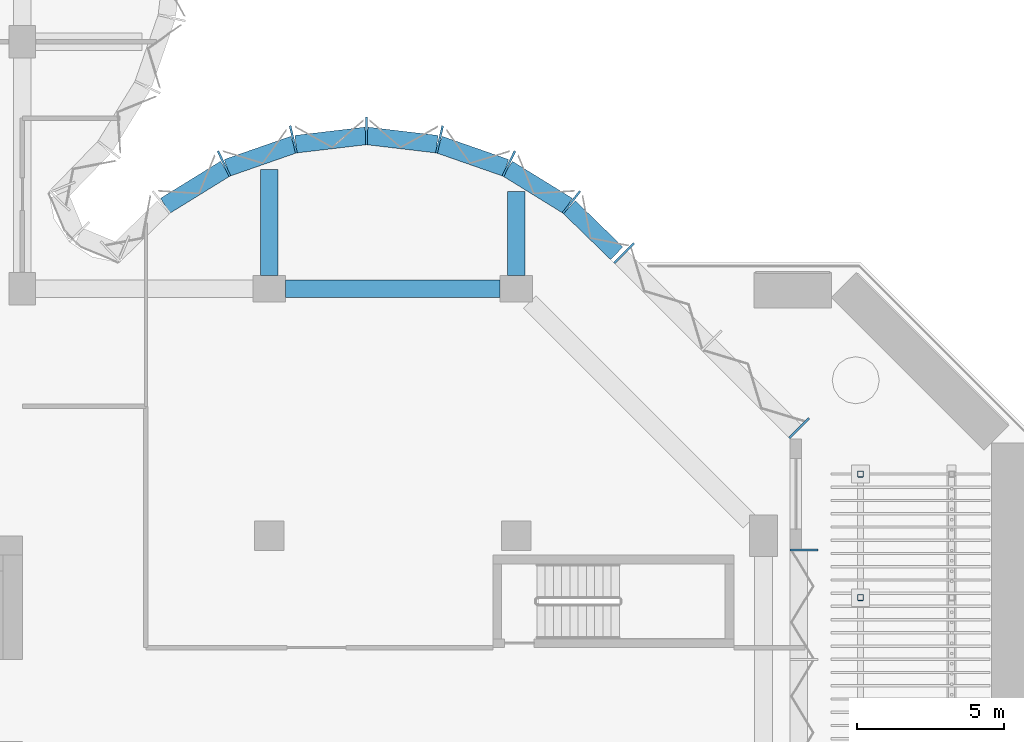
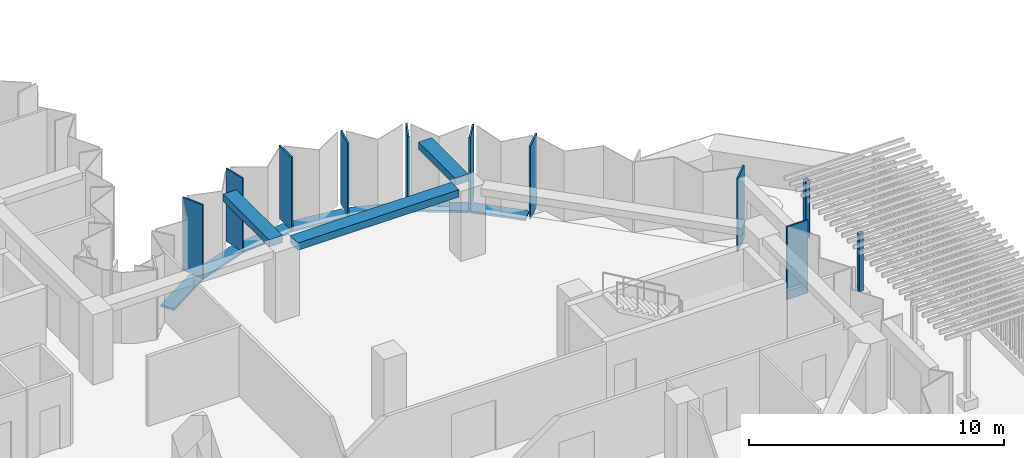
# One storey, part 3 of 14: 18 members, 3 beams, 3 elements without a shape of their own.
"""IFC4 building model written with IfcOpenShell, lengths in metres."""

from ifc_helpers import new_model, si_unit, direction, frame, origin, origin_2d, place, context, subcontext, project, spatial, rectangle, hollow_rectangle, extrude, material, material_profile, profile_set, type_object, element, aggregate, save


model = new_model("IFC4")

# Units and contexts
model_context = context("Model", 3, precision=1e-05, world=origin(), true_north=direction((0.0, 1.0)))
body_context = subcontext(model_context, "Body", "Model", "MODEL_VIEW")
ifc_project = project(units=[si_unit("LENGTHUNIT", "METRE"), si_unit("AREAUNIT", "SQUARE_METRE"), si_unit("VOLUMEUNIT", "CUBIC_METRE"), si_unit("PLANEANGLEUNIT", "RADIAN"), si_unit("MASSUNIT", "GRAM", prefix="KILO")], contexts=[model_context])

# Site, building, storey
site_placement = place(None, origin())
site = spatial("IfcSite", under=ifc_project, at=site_placement, CompositionType="ELEMENT")
building_placement = place(site_placement, origin())
building = spatial("IfcBuilding", under=site, at=building_placement, Name="Brevane Broadcast Tower", CompositionType="ELEMENT")
storey_placement = place(building_placement, frame((0.0, 0.0, 184.800048828125)))
storey = spatial("IfcBuildingStorey", under=building, at=storey_placement, Name="L46", CompositionType="ELEMENT", Elevation=184.800048828125)

# Curtain wall, member
ifc_material_1 = material(Name="Aluminium 6063-T6 bronze anodised", Category="aluminium")
curtain_wall_type = type_object("IfcCurtainWallType", Name="CW-1 curtain wall", PredefinedType="NOTDEFINED", material=ifc_material_1)
curtain_wall_1_placement = place(storey_placement, origin())
curtain_wall_1 = element("IfcCurtainWall", 1, at=curtain_wall_1_placement, inside=storey, type_object=curtain_wall_type, Name="CW-1 typical tilted unit L46 east end", PredefinedType="NOTDEFINED")
ifc_material_profile_1 = material_profile(ifc_material_1, rectangle(XDim=0.949951171875, YDim=0.070068359375, at=origin_2d()), Name="RECT 70x950")
ifc_profile_set_1 = profile_set([ifc_material_profile_1], Name="Aluminium 6063-T6 bronze anodised")
member_type_1 = type_object("IfcMemberType", Name="CW-1 mullion 70x950", PredefinedType="MULLION", material=ifc_profile_set_1)
member_1_placement = place(storey_placement, frame((51.77490234375, 16.31494140625, -0.150146484375), z_axis=(0.0, 0.0, 1.0), x_axis=(-1.0, 0.0, 0.0)))
member_1 = element("IfcMember", 2, at=member_1_placement, type_object=member_type_1, Name="CW-1 mullion", PredefinedType="MULLION", context=body_context, shape_type="SweptSolid", body=[
    extrude(rectangle(XDim=0.949951171875, YDim=0.070068359375, at=origin_2d()), origin(), (0.0, 0.0, 1.0), 3.5),
])
aggregate(curtain_wall_1, [member_1])

# Curtain wall, members
curtain_wall_2_placement = place(storey_placement, origin())
curtain_wall_2 = element("IfcCurtainWall", 3, at=curtain_wall_2_placement, inside=storey, type_object=curtain_wall_type, Name="CW-1 typical tilted unit L46 north-east chamfer", PredefinedType="NOTDEFINED")
member_2_placement = place(storey_placement, frame((51.611083984375, 20.460693359375, -0.150146484375), z_axis=(0.0, 0.0, 1.0), x_axis=(-0.707106781187, -0.707106781187, 0.0)))
member_2 = element("IfcMember", 4, at=member_2_placement, type_object=member_type_1, Name="CW-1 mullion", PredefinedType="MULLION", context=body_context, shape_type="SweptSolid", body=[
    extrude(rectangle(XDim=0.949951171875, YDim=0.070068359375, at=origin_2d()), origin(), (0.0, 0.0, 1.0), 3.5),
])
member_3_placement = place(storey_placement, frame((45.66064453125, 26.4111328125, -0.150146484375), z_axis=(0.0, 0.0, 1.0), x_axis=(-0.707106781187, -0.707106781187, 0.0)))
member_3 = element("IfcMember", 5, at=member_3_placement, type_object=member_type_1, Name="CW-1 mullion", PredefinedType="MULLION", context=body_context, shape_type="SweptSolid", body=[
    extrude(rectangle(XDim=0.949951171875, YDim=0.070068359375, at=origin_2d()), origin(), (0.0, 0.0, 1.0), 3.5),
])
aggregate(curtain_wall_2, [member_2, member_3])

curtain_wall_3_placement = place(storey_placement, origin())
curtain_wall_3 = element("IfcCurtainWall", 6, at=curtain_wall_3_placement, inside=storey, type_object=curtain_wall_type, Name="CW-1 typical tilted unit L46 east bow", PredefinedType="NOTDEFINED")
member_4_placement = place(storey_placement, frame((43.8720703125, 28.1455078125, -0.150146484375), z_axis=(0.0, 0.0, 1.0), x_axis=(-0.614769698862, -0.788706673841, 0.0)))
member_4 = element("IfcMember", 7, at=member_4_placement, type_object=member_type_1, Name="CW-1 mullion", PredefinedType="MULLION", context=body_context, shape_type="SweptSolid", body=[
    extrude(rectangle(XDim=0.949951171875, YDim=0.070068359375, at=origin_2d()), origin(), (0.0, 0.0, 1.0), 3.5),
])
member_5_placement = place(storey_placement, frame((41.746826171875, 29.4580078125, -0.150146484375), z_axis=(0.0, 0.0, 1.0), x_axis=(-0.429933580394, -0.902860518823, 0.0)))
member_5 = element("IfcMember", 8, at=member_5_placement, type_object=member_type_1, Name="CW-1 mullion", PredefinedType="MULLION", context=body_context, shape_type="SweptSolid", body=[
    extrude(rectangle(XDim=0.949951171875, YDim=0.070068359375, at=origin_2d()), origin(), (0.0, 0.0, 1.0), 3.5),
])
member_6_placement = place(storey_placement, frame((39.38818359375, 30.28076171875, -0.150146484375), z_axis=(0.0, 0.0, 1.0), x_axis=(-0.224806535479, -0.974403418306, 0.0)))
member_6 = element("IfcMember", 9, at=member_6_placement, type_object=member_type_1, Name="CW-1 mullion", PredefinedType="MULLION", context=body_context, shape_type="SweptSolid", body=[
    extrude(rectangle(XDim=0.949951171875, YDim=0.070068359375, at=origin_2d()), origin(), (0.0, 0.0, 1.0), 3.5),
])
member_7_placement = place(storey_placement, frame((36.89990234375, 30.574951171875, -0.150146484375), z_axis=(0.0, 0.0, 1.0), x_axis=(0.0, -1.0, 0.0)))
member_7 = element("IfcMember", 10, at=member_7_placement, type_object=member_type_1, Name="CW-1 mullion", PredefinedType="MULLION", context=body_context, shape_type="SweptSolid", body=[
    extrude(rectangle(XDim=0.949951171875, YDim=0.070068359375, at=origin_2d()), origin(), (0.0, 0.0, 1.0), 3.5),
])
member_8_placement = place(storey_placement, frame((34.411865234375, 30.28076171875, -0.150146484375), z_axis=(0.0, 0.0, 1.0), x_axis=(0.224806535479, -0.974403418306, 0.0)))
member_8 = element("IfcMember", 11, at=member_8_placement, type_object=member_type_1, Name="CW-1 mullion", PredefinedType="MULLION", context=body_context, shape_type="SweptSolid", body=[
    extrude(rectangle(XDim=0.949951171875, YDim=0.070068359375, at=origin_2d()), origin(), (0.0, 0.0, 1.0), 3.5),
])
member_9_placement = place(storey_placement, frame((32.05322265625, 29.4580078125, -0.150146484375), z_axis=(0.0, 0.0, 1.0), x_axis=(0.429933580394, -0.902860518823, 0.0)))
member_9 = element("IfcMember", 12, at=member_9_placement, type_object=member_type_1, Name="CW-1 mullion", PredefinedType="MULLION", context=body_context, shape_type="SweptSolid", body=[
    extrude(rectangle(XDim=0.949951171875, YDim=0.070068359375, at=origin_2d()), origin(), (0.0, 0.0, 1.0), 3.5),
])
ifc_material_profile_2 = material_profile(ifc_material_1, rectangle(XDim=0.60009765625, YDim=0.10009765625, at=origin_2d()), Name="RECT 100x600")
ifc_profile_set_2 = profile_set([ifc_material_profile_2], Name="Aluminium 6063-T6 bronze anodised")
member_type_2 = type_object("IfcMemberType", Name="CW-1 transom 100x600", PredefinedType="USERDEFINED", material=ifc_profile_set_2)
member_10_placement = place(storey_placement, frame((45.412841796875, 26.407958984375, -0.199951171875), z_axis=(-0.71724215871, 0.696823999134, 0.0), x_axis=(-0.696823999134, -0.71724215871, 0.0)))
member_10 = element("IfcMember", 13, at=member_10_placement, type_object=member_type_2, Name="CW-1 transom", ObjectType="TRANSOM", PredefinedType="USERDEFINED", context=body_context, shape_type="SweptSolid", body=[
    extrude(rectangle(XDim=0.60009765625, YDim=0.10009765625, at=origin_2d()), origin(), (0.0, 0.0, 1.0), 2.247802734375),
])
member_11_placement = place(storey_placement, frame((43.7421875, 28.023193359375, -0.199951171875), z_axis=(-0.850810063131, 0.525473345162, 0.0), x_axis=(-0.525473345162, -0.850810063131, 0.0)))
member_11 = element("IfcMember", 14, at=member_11_placement, type_object=member_type_2, Name="CW-1 transom", ObjectType="TRANSOM", PredefinedType="USERDEFINED", context=body_context, shape_type="SweptSolid", body=[
    extrude(rectangle(XDim=0.60009765625, YDim=0.10009765625, at=origin_2d()), origin(), (0.0, 0.0, 1.0), 2.39453125),
])
member_12_placement = place(storey_placement, frame((41.63623046875, 29.314208984375, -0.199951171875), z_axis=(-0.944197969542, 0.329378497041, 0.0), x_axis=(-0.329378497041, -0.944197969542, 0.0)))
member_12 = element("IfcMember", 15, at=member_12_placement, type_object=member_type_2, Name="CW-1 transom", ObjectType="TRANSOM", PredefinedType="USERDEFINED", context=body_context, shape_type="SweptSolid", body=[
    extrude(rectangle(XDim=0.60009765625, YDim=0.10009765625, at=origin_2d()), origin(), (0.0, 0.0, 1.0), 2.394775390625),
])
member_13_placement = place(storey_placement, frame((39.30029296875, 30.117431640625, -0.199951171875), z_axis=(-0.993062061831, 0.117591417, 0.0), x_axis=(-0.117591417, -0.993062061831, 0.0)))
member_13 = element("IfcMember", 16, at=member_13_placement, type_object=member_type_2, Name="CW-1 transom", ObjectType="TRANSOM", PredefinedType="USERDEFINED", context=body_context, shape_type="SweptSolid", body=[
    extrude(rectangle(XDim=0.60009765625, YDim=0.10009765625, at=origin_2d()), origin(), (0.0, 0.0, 1.0), 2.39794921875),
])
member_14_placement = place(storey_placement, frame((36.880859375, 30.3994140625, -0.199951171875), z_axis=(-0.993060653805, -0.117603307202, 0.0), x_axis=(0.117603307202, -0.993060653805, 0.0)))
member_14 = element("IfcMember", 17, at=member_14_placement, type_object=member_type_2, Name="CW-1 transom", ObjectType="TRANSOM", PredefinedType="USERDEFINED", context=body_context, shape_type="SweptSolid", body=[
    extrude(rectangle(XDim=0.60009765625, YDim=0.10009765625, at=origin_2d()), origin(), (0.0, 0.0, 1.0), 2.397705078125),
])
member_15_placement = place(storey_placement, frame((34.425048828125, 30.10302734375, -0.199951171875), z_axis=(-0.944197969542, -0.329378497041, 0.0), x_axis=(0.329378497041, -0.944197969542, 0.0)))
member_15 = element("IfcMember", 18, at=member_15_placement, type_object=member_type_2, Name="CW-1 transom", ObjectType="TRANSOM", PredefinedType="USERDEFINED", context=body_context, shape_type="SweptSolid", body=[
    extrude(rectangle(XDim=0.60009765625, YDim=0.10009765625, at=origin_2d()), origin(), (0.0, 0.0, 1.0), 2.394775390625),
])
member_16_placement = place(storey_placement, frame((32.09521484375, 29.281494140625, -0.199951171875), z_axis=(-0.850838211365, -0.525427766759, 0.0), x_axis=(0.525427766759, -0.850838211365, 0.0)))
member_16 = element("IfcMember", 19, at=member_16_placement, type_object=member_type_2, Name="CW-1 transom", ObjectType="TRANSOM", PredefinedType="USERDEFINED", context=body_context, shape_type="SweptSolid", body=[
    extrude(rectangle(XDim=0.60009765625, YDim=0.10009765625, at=origin_2d()), origin(), (0.0, 0.0, 1.0), 2.394775390625),
])
aggregate(curtain_wall_3, [member_4, member_5, member_6, member_7, member_8, member_9, member_10, member_11, member_12, member_13, member_14, member_15, member_16])

# Beams
ifc_material_2 = material(Name="Concrete C40/50", Category="concrete")
ifc_material_profile_3 = material_profile(ifc_material_2, rectangle(XDim=0.60009765625, YDim=0.35009765625, at=origin_2d()), Name="RC 600x350")
ifc_profile_set_3 = profile_set([ifc_material_profile_3], Name="Concrete C40/50")
beam_type_1 = type_object("IfcBeamType", Name="RC BRACKET BEAM 600x350 C40/50", PredefinedType="BEAM", material=ifc_profile_set_3)
beam_1_placement = place(storey_placement, frame((33.60009765625, 25.64990234375, 3.175048828125), z_axis=(0.0, 1.0, 0.0), x_axis=(-1.0, 0.0, 0.0)))
element("IfcBeam", 20, at=beam_1_placement, inside=storey, type_object=beam_type_1, Name="EB2 L46-3", PredefinedType="BEAM", context=body_context, shape_type="SweptSolid", body=[
    extrude(rectangle(XDim=0.60009765625, YDim=0.35009765625, at=origin_2d()), origin(), (0.0, 0.0, 1.0), 3.612060546875),
])
beam_2_placement = place(storey_placement, frame((42.0, 25.64990234375, 3.175048828125), z_axis=(0.0, 1.0, 0.0), x_axis=(-1.0, 0.0, 0.0)))
element("IfcBeam", 21, at=beam_2_placement, inside=storey, type_object=beam_type_1, Name="EB2 L46-4", PredefinedType="BEAM", context=body_context, shape_type="SweptSolid", body=[
    extrude(rectangle(XDim=0.60009765625, YDim=0.35009765625, at=origin_2d()), origin(), (0.0, 0.0, 1.0), 2.861572265625),
])
ifc_material_profile_4 = material_profile(ifc_material_2, rectangle(XDim=0.60009765625, YDim=0.35009765625, at=origin_2d()), Name="RC 600x350")
ifc_profile_set_4 = profile_set([ifc_material_profile_4], Name="Concrete C40/50")
beam_type_2 = type_object("IfcBeamType", Name="RC SPANDREL BEAM 600x350 C40/50", PredefinedType="SPANDREL", material=ifc_profile_set_4)
beam_3_placement = place(storey_placement, frame((41.449951171875, 25.199951171875, 3.175048828125), z_axis=(-1.0, 0.0, 0.0), x_axis=(0.0, -1.0, 0.0)))
element("IfcBeam", 22, at=beam_3_placement, inside=storey, type_object=beam_type_2, Name="EB1 L46-6", PredefinedType="SPANDREL", context=body_context, shape_type="SweptSolid", body=[
    extrude(rectangle(XDim=0.60009765625, YDim=0.35009765625, at=origin_2d()), origin(), (0.0, 0.0, 1.0), 7.300048828125),
])

# Members
ifc_material_3 = material(Name="Steel S355", Category="steel")
ifc_material_profile_5 = material_profile(ifc_material_3, hollow_rectangle(XDim=0.199951171875, YDim=0.199951171875, WallThickness=0.010009765625, InnerFilletRadius=0.010009765625, OuterFilletRadius=0.02001953125, at=origin_2d()), Name="RHS 200x200x10")
ifc_profile_set_5 = profile_set([ifc_material_profile_5], Name="Steel S355")
member_type_3 = type_object("IfcMemberType", Name="Sky garden pergola post RHS 200x200x10 S355", PredefinedType="POST", material=ifc_profile_set_5)
for number, where, z_axis, x_axis, name in (
    (23, (53.699951171875, 14.699951171875, 0.449951171875), (0.0, 0.0, 1.0), (1.0, 0.0, 0.0), "Sky garden trellis post L46-3"),
    (24, (53.699951171875, 18.89990234375, 0.449951171875), (0.0, 0.0, 1.0), (1.0, 0.0, 0.0), "Sky garden trellis post L46-4"),
):
    element("IfcMember", number, at=place(storey_placement, frame(where, z_axis=z_axis, x_axis=x_axis)), inside=storey, type_object=member_type_3, Name=name, PredefinedType="POST", context=body_context, shape_type="SweptSolid", body=[
        extrude(hollow_rectangle(XDim=0.199951171875, YDim=0.199951171875, WallThickness=0.010009765625, InnerFilletRadius=0.010009765625, OuterFilletRadius=0.02001953125, at=origin_2d()), origin(), (0.0, 0.0, 1.0), 2.75),
    ])

save(model, "model.ifc")
